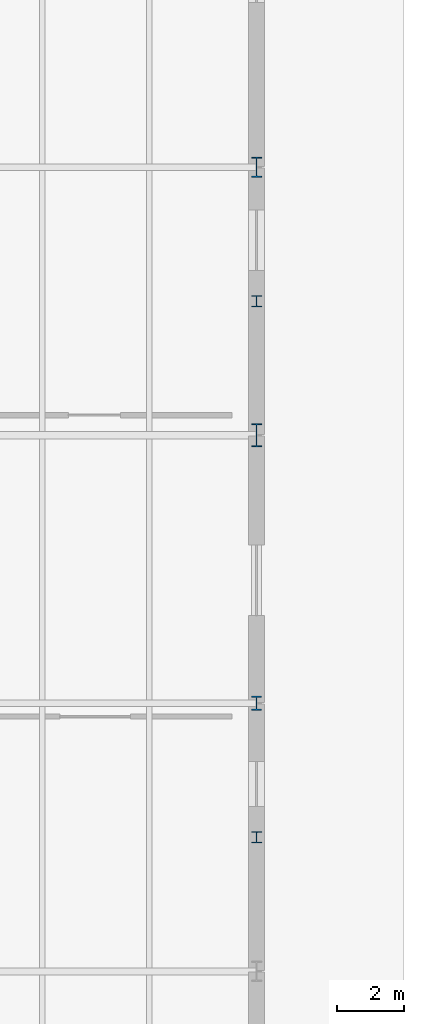
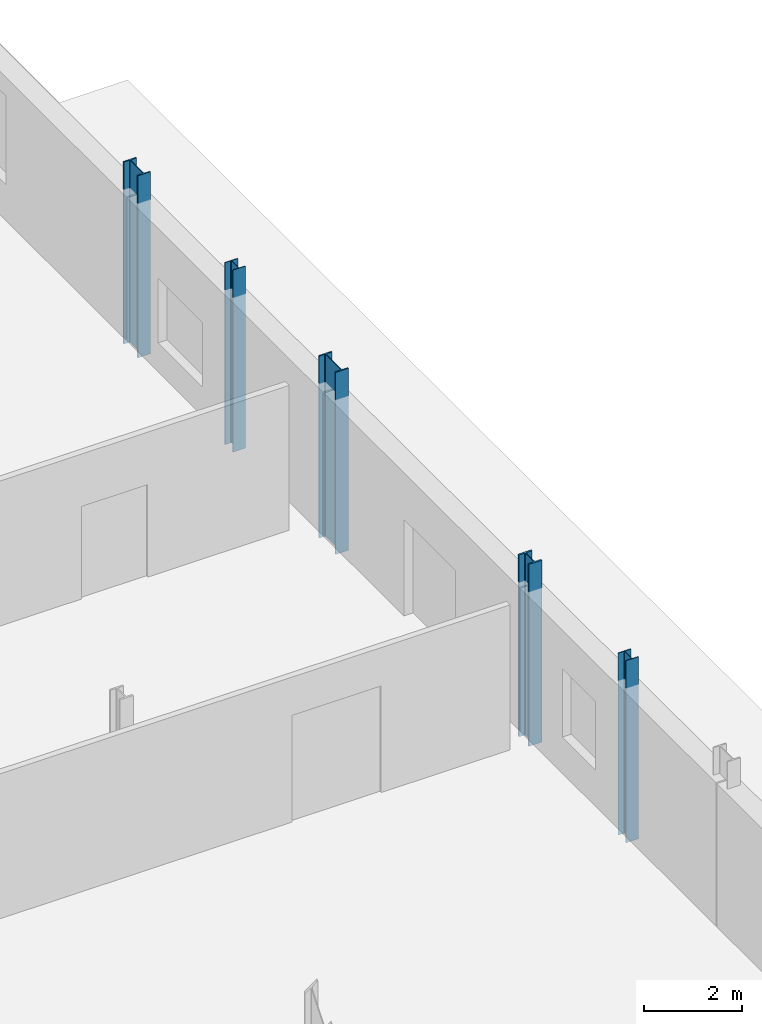
# One storey, part 28 of 78: 5 columns.
"""IFC4 building model written with IfcOpenShell, lengths in metres."""

from ifc_helpers import new_model, si_unit, direction, frame, origin, origin_2d, place, context, subcontext, project, spatial, i_section, extrude, material, material_profile, profile_set, type_object, element, save


model = new_model("IFC4")

# Units and contexts
model_context = context("Model", 3, precision=1e-05, world=origin(), true_north=direction((0.0, 1.0)))
body_context = subcontext(model_context, "Body", "Model", "MODEL_VIEW")
ifc_project = project(units=[si_unit("LENGTHUNIT", "METRE"), si_unit("AREAUNIT", "SQUARE_METRE"), si_unit("VOLUMEUNIT", "CUBIC_METRE"), si_unit("PLANEANGLEUNIT", "RADIAN"), si_unit("MASSUNIT", "GRAM", prefix="KILO")], contexts=[model_context])

# Site, building, storey
site_placement = place(None, origin())
site = spatial("IfcSite", under=ifc_project, at=site_placement, CompositionType="ELEMENT")
building_placement = place(site_placement, origin())
building = spatial("IfcBuilding", under=site, at=building_placement, Name="Alderhovde Museum", CompositionType="ELEMENT")
storey_placement = place(building_placement, origin())
storey = spatial("IfcBuildingStorey", under=building, at=storey_placement, Name="L00", CompositionType="ELEMENT", Elevation=0.0)

# Columns
ifc_material_1 = material(Name="Steel S355J2", Category="steel")
ifc_material_profile_1 = material_profile(ifc_material_1, i_section(OverallWidth=0.300048828125, OverallDepth=0.60009765625, WebThickness=0.015380859375, FlangeThickness=0.030029296875, FilletRadius=0.027099609375, at=origin_2d()), Name="HEB 600")
ifc_profile_set_1 = profile_set([ifc_material_profile_1], Name="Steel S355J2")
column_type_1 = type_object("IfcColumnType", Name="COL-HEB600", PredefinedType="COLUMN", material=ifc_profile_set_1)
column_1_placement = place(storey_placement, frame((172.800048828125, 88.0, -0.280029296875), z_axis=(0.0, 0.0, 1.0), x_axis=(1.0, 0.0, 0.0)))
element("IfcColumn", 1, at=column_1_placement, inside=storey, type_object=column_type_1, Name="L00 Column (172.8, 88.0)", PredefinedType="COLUMN", context=body_context, shape_type="SweptSolid", body=[
    extrude(i_section(OverallWidth=0.300048828125, OverallDepth=0.60009765625, WebThickness=0.015380859375, FlangeThickness=0.030029296875, FilletRadius=0.027099609375, at=origin_2d()), origin(), (0.0, 0.0, 1.0), 4.52001953125),
])
ifc_material_2 = material(Name="Steel S355J2", Category="steel")
ifc_material_profile_2 = material_profile(ifc_material_2, i_section(OverallWidth=0.300048828125, OverallDepth=0.699951171875, WebThickness=0.01708984375, FlangeThickness=0.031982421875, FilletRadius=0.027099609375, at=origin_2d()), Name="HEB 700")
ifc_profile_set_2 = profile_set([ifc_material_profile_2], Name="Steel S355J2")
column_type_2 = type_object("IfcColumnType", Name="COL-HEB700", PredefinedType="COLUMN", material=ifc_profile_set_2)
column_2_placement = place(storey_placement, frame((172.800048828125, 80.0, -0.280029296875), z_axis=(0.0, 0.0, 1.0), x_axis=(1.0, 0.0, 0.0)))
element("IfcColumn", 2, at=column_2_placement, inside=storey, type_object=column_type_2, Name="L00 Column (172.8, 80.0)", PredefinedType="COLUMN", context=body_context, shape_type="SweptSolid", body=[
    extrude(i_section(OverallWidth=0.300048828125, OverallDepth=0.699951171875, WebThickness=0.01708984375, FlangeThickness=0.031982421875, FilletRadius=0.027099609375, at=origin_2d()), origin(), (0.0, 0.0, 1.0), 4.52001953125),
])
ifc_material_3 = material(Name="Steel S355J2", Category="steel")
ifc_material_profile_3 = material_profile(ifc_material_3, i_section(OverallWidth=0.306884765625, OverallDepth=0.431884765625, WebThickness=0.02099609375, FlangeThickness=0.0400390625, FilletRadius=0.027099609375, at=origin_2d()), Name="HEM 400")
ifc_profile_set_3 = profile_set([ifc_material_profile_3], Name="Steel S355J2")
column_type_3 = type_object("IfcColumnType", Name="COL-HEM400", PredefinedType="COLUMN", material=ifc_profile_set_3)
column_3_placement = place(storey_placement, frame((172.800048828125, 72.0, -0.280029296875), z_axis=(0.0, 0.0, 1.0), x_axis=(1.0, 0.0, 0.0)))
element("IfcColumn", 3, at=column_3_placement, inside=storey, type_object=column_type_3, Name="L00 Column (172.8, 72.0)", PredefinedType="COLUMN", context=body_context, shape_type="SweptSolid", body=[
    extrude(i_section(OverallWidth=0.306884765625, OverallDepth=0.431884765625, WebThickness=0.02099609375, FlangeThickness=0.0400390625, FilletRadius=0.027099609375, at=origin_2d()), origin(), (0.0, 0.0, 1.0), 4.52001953125),
])
ifc_material_4 = material(Name="Steel S355J2", Category="steel")
ifc_material_profile_4 = material_profile(ifc_material_4, i_section(OverallWidth=0.300048828125, OverallDepth=0.330078125, WebThickness=0.009521484375, FlangeThickness=0.0166015625, FilletRadius=0.027099609375, at=origin_2d()), Name="HEA 340")
ifc_profile_set_4 = profile_set([ifc_material_profile_4], Name="Steel S355J2")
column_type_4 = type_object("IfcColumnType", Name="PIL-HEA340", PredefinedType="PILASTER", material=ifc_profile_set_4)
for number, where, z_axis, x_axis, name in (
    (4, (172.800048828125, 68.0, -0.280029296875), (0.0, 0.0, 1.0), (1.0, 0.0, 0.0), "L00 Structural Pilaster (172.8, 68.0)"),
    (5, (172.800048828125, 84.0, -0.280029296875), (0.0, 0.0, 1.0), (1.0, 0.0, 0.0), "L00 Structural Pilaster (172.8, 84.0)"),
):
    element("IfcColumn", number, at=place(storey_placement, frame(where, z_axis=z_axis, x_axis=x_axis)), inside=storey, type_object=column_type_4, Name=name, PredefinedType="PILASTER", context=body_context, shape_type="SweptSolid", body=[
        extrude(i_section(OverallWidth=0.300048828125, OverallDepth=0.330078125, WebThickness=0.009521484375, FlangeThickness=0.0166015625, FilletRadius=0.027099609375, at=origin_2d()), origin(), (0.0, 0.0, 1.0), 4.52001953125),
    ])

save(model, "model.ifc")
